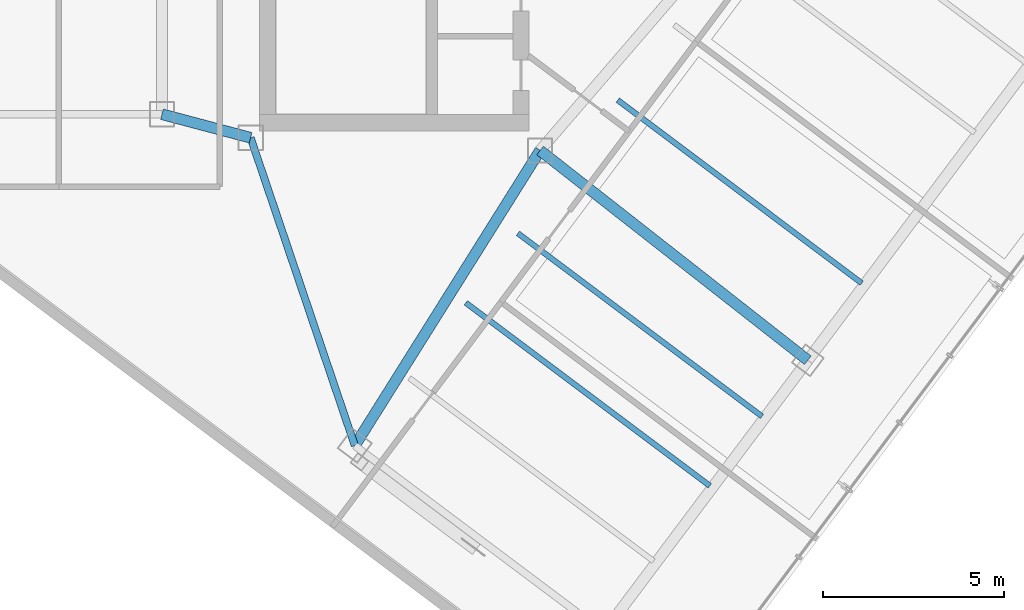
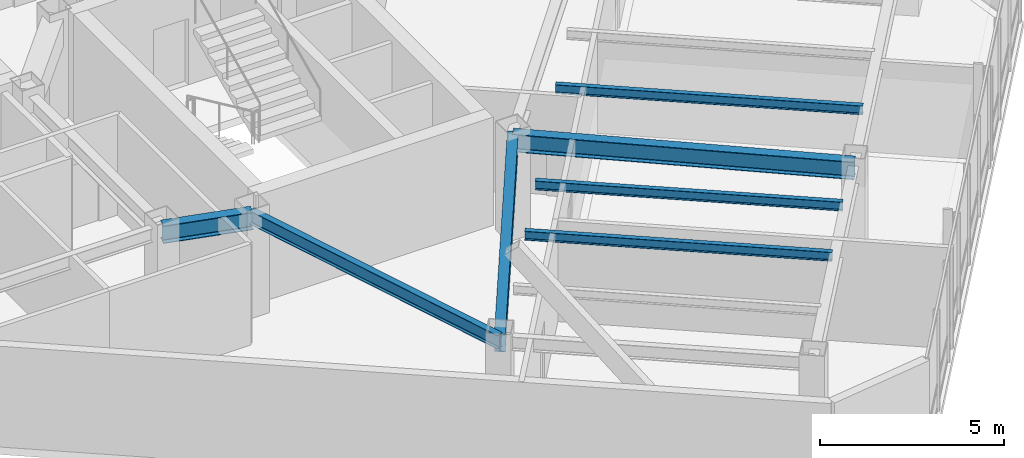
# One storey, part 3 of 26: 7 beams.
"""IFC4 building model written with IfcOpenShell, lengths in metres."""

from ifc_helpers import new_model, si_unit, direction, frame, origin, origin_2d, place, context, subcontext, project, spatial, i_section, extrude, material, material_profile, profile_set, type_object, element, save


model = new_model("IFC4")

# Units and contexts
model_context = context("Model", 3, precision=1e-05, world=origin(), true_north=direction((0.0, 1.0)))
body_context = subcontext(model_context, "Body", "Model", "MODEL_VIEW")
ifc_project = project(units=[si_unit("LENGTHUNIT", "METRE"), si_unit("AREAUNIT", "SQUARE_METRE"), si_unit("VOLUMEUNIT", "CUBIC_METRE"), si_unit("PLANEANGLEUNIT", "RADIAN"), si_unit("MASSUNIT", "GRAM", prefix="KILO")], contexts=[model_context])

# Site, building, storey
site_placement = place(None, origin())
site = spatial("IfcSite", under=ifc_project, at=site_placement, CompositionType="ELEMENT")
building_placement = place(site_placement, origin())
building = spatial("IfcBuilding", under=site, at=building_placement, Name="Hatsunagi Terrace Concourse", CompositionType="ELEMENT")
storey_placement = place(building_placement, frame((0.0, 0.0, 227.550048828125)))
storey = spatial("IfcBuildingStorey", under=building, at=storey_placement, Name="L60", CompositionType="ELEMENT", Elevation=227.550048828125)

# Beams
ifc_material_1 = material(Name="Steel SN490B", Category="steel")
ifc_material_profile_1 = material_profile(ifc_material_1, i_section(OverallWidth=0.300048828125, OverallDepth=0.587890625, WebThickness=0.011962890625, FlangeThickness=0.02001953125, FilletRadius=0.01806640625, at=origin_2d()), Name="H-588x300x12x20")
ifc_profile_set_1 = profile_set([ifc_material_profile_1], Name="Steel SN490B")
beam_type_1 = type_object("IfcBeamType", Name="OfficeHighGirder_H_588x300", PredefinedType="BEAM", material=ifc_profile_set_1)
beam_1_placement = place(storey_placement, frame((33.35009765625, 25.199951171875, 3.055908203125), z_axis=(0.966569840116, -0.256403479262, 0.0), x_axis=(0.256403479262, 0.966569840116, 0.0)))
element("IfcBeam", 1, at=beam_1_placement, inside=storey, type_object=beam_type_1, Name="Beam G-06 BM-L60-K2CB", PredefinedType="BEAM", context=body_context, shape_type="SweptSolid", body=[
    extrude(i_section(OverallWidth=0.300048828125, OverallDepth=0.587890625, WebThickness=0.011962890625, FlangeThickness=0.02001953125, FilletRadius=0.01806640625, at=origin_2d()), origin(), (0.0, 0.0, 1.0), 2.53466796875),
])
beam_2_placement = place(storey_placement, frame((38.679931640625, 16.0400390625, 3.055908203125), z_axis=(0.531503907049, 0.847055840421, 0.0), x_axis=(-0.847055840421, 0.531503907049, 0.0)))
element("IfcBeam", 2, at=beam_2_placement, inside=storey, type_object=beam_type_1, Name="Beam G-06 BM-L60-SET-1A", PredefinedType="BEAM", context=body_context, shape_type="SweptSolid", body=[
    extrude(i_section(OverallWidth=0.300048828125, OverallDepth=0.587890625, WebThickness=0.011962890625, FlangeThickness=0.02001953125, FilletRadius=0.01806640625, at=origin_2d()), origin(), (0.0, 0.0, 1.0), 9.63330078125),
])
beam_3_placement = place(storey_placement, frame((43.800048828125, 24.199951171875, 3.055908203125), z_axis=(0.787049441068, -0.616889923175, 0.0), x_axis=(0.616889923175, 0.787049441068, 0.0)))
element("IfcBeam", 3, at=beam_3_placement, inside=storey, type_object=beam_type_1, Name="Beam G-06 BM-L60-SE-M2", PredefinedType="BEAM", context=body_context, shape_type="SweptSolid", body=[
    extrude(i_section(OverallWidth=0.300048828125, OverallDepth=0.587890625, WebThickness=0.011962890625, FlangeThickness=0.02001953125, FilletRadius=0.01806640625, at=origin_2d()), origin(), (0.0, 0.0, 1.0), 9.402099609375),
])
ifc_material_2 = material(Name="Steel SN490B", Category="steel")
ifc_material_profile_2 = material_profile(ifc_material_2, i_section(OverallWidth=0.14990234375, OverallDepth=0.300048828125, WebThickness=0.006591796875, FlangeThickness=0.009033203125, FilletRadius=0.010986328125, at=origin_2d()), Name="H-300x150x6.5x9")
ifc_profile_set_2 = profile_set([ifc_material_profile_2], Name="Steel SN490B")
beam_type_2 = type_object("IfcBeamType", Name="OfficeJoist_H_300x150", PredefinedType="JOIST", material=ifc_profile_set_2)
for number, where, z_axis, x_axis, name in (
    (4, (41.748046875, 19.989013671875, 3.199951171875), (0.799989573921, -0.600013901187, 0.0), (0.600013901187, 0.799989573921, 0.0), "Beam J-03 J-L60-SE-2-72"),
    (5, (43.18798828125, 21.908935546875, 3.199951171875), (0.800003475366, -0.59999536615, 0.0), (0.59999536615, 0.800003475366, 0.0), "Beam J-03 J-L60-SE-2-96"),
    (6, (45.947998046875, 25.589111328125, 3.199951171875), (0.799989573921, -0.600013901187, 0.0), (0.600013901187, 0.799989573921, 0.0), "Beam J-03 J-L60-SE-2-142"),
):
    element("IfcBeam", number, at=place(storey_placement, frame(where, z_axis=z_axis, x_axis=x_axis)), inside=storey, type_object=beam_type_2, Name=name, PredefinedType="JOIST", context=body_context, shape_type="SweptSolid", body=[
        extrude(i_section(OverallWidth=0.14990234375, OverallDepth=0.300048828125, WebThickness=0.006591796875, FlangeThickness=0.009033203125, FilletRadius=0.010986328125, at=origin_2d()), origin(), (0.0, 0.0, 1.0), 8.429931640625),
    ])
ifc_material_3 = material(Name="Steel SN490B", Category="steel")
ifc_material_profile_3 = material_profile(ifc_material_3, i_section(OverallWidth=0.199951171875, OverallDepth=0.449951171875, WebThickness=0.009033203125, FlangeThickness=0.013916015625, FilletRadius=0.01611328125, at=origin_2d()), Name="H-450x200x9x14")
ifc_profile_set_3 = profile_set([ifc_material_profile_3], Name="Steel SN490B")
beam_type_3 = type_object("IfcBeamType", Name="PerimeterSpandrel_H_450x200", PredefinedType="SPANDREL", material=ifc_profile_set_3)
beam_4_placement = place(storey_placement, frame((35.800048828125, 24.550048828125, 3.125), z_axis=(0.320553412271, -0.947230441805, 0.0), x_axis=(0.947230441805, 0.320553412271, 0.0)))
element("IfcBeam", 7, at=beam_4_placement, inside=storey, type_object=beam_type_3, Name="Beam SP-02 BM-L60-SE-SW0", PredefinedType="SPANDREL", context=body_context, shape_type="SweptSolid", body=[
    extrude(i_section(OverallWidth=0.199951171875, OverallDepth=0.449951171875, WebThickness=0.009033203125, FlangeThickness=0.013916015625, FilletRadius=0.01611328125, at=origin_2d()), origin(), (0.0, 0.0, 1.0), 8.984130859375),
])

save(model, "model.ifc")
